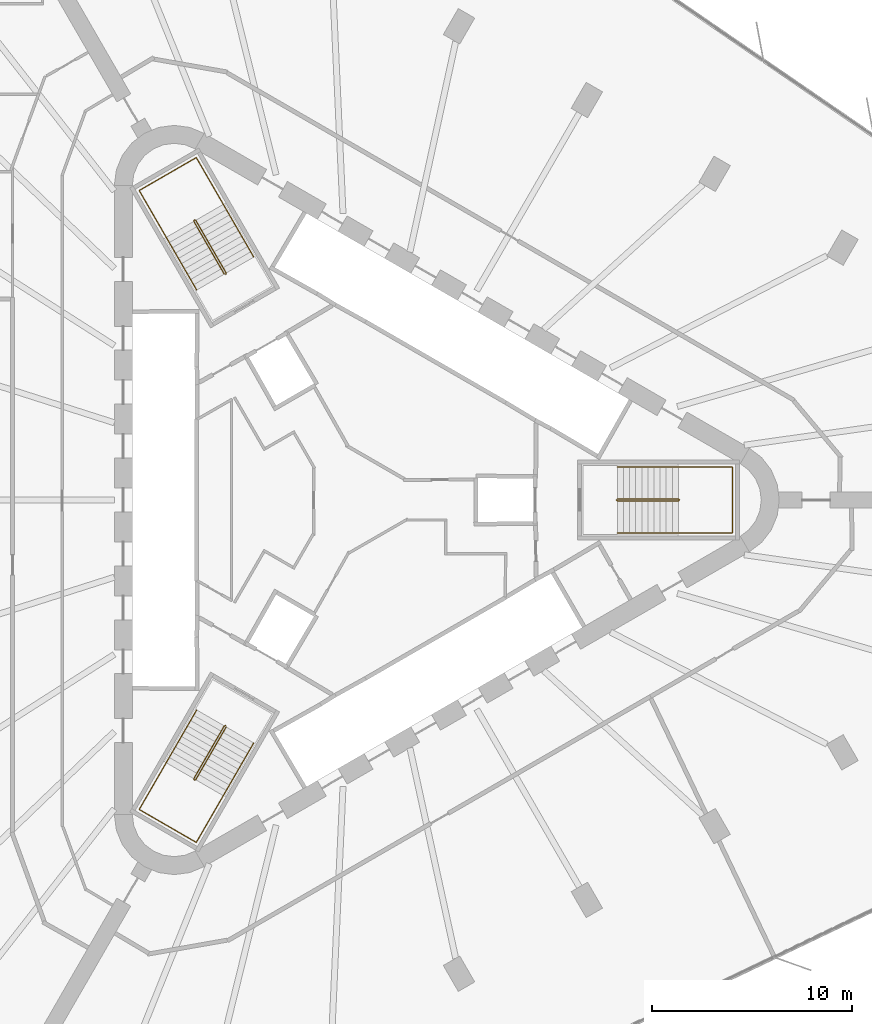
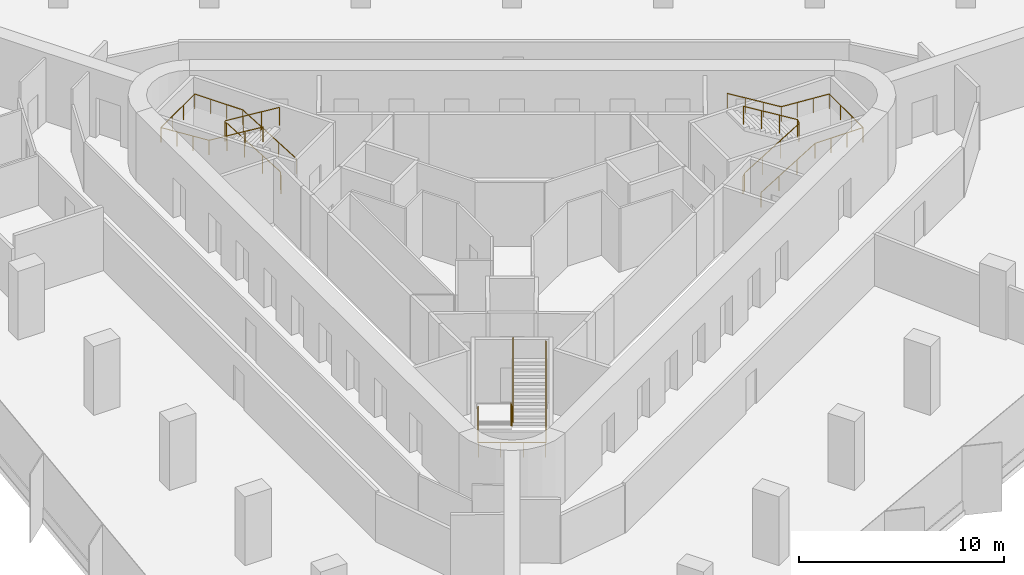
# One storey, part 14 of 14: 6 railings.
"""IFC4 building model written with IfcOpenShell, lengths in metres."""

from ifc_helpers import new_model, si_unit, direction, frame, origin, origin_2d, place, context, subcontext, project, spatial, circle, extrude, material, type_object, element, save


model = new_model("IFC4")

# Units and contexts
model_context = context("Model", 3, precision=1e-05, world=origin(), true_north=direction((0.0, 1.0)))
body_context = subcontext(model_context, "Body", "Model", "MODEL_VIEW")
ifc_project = project(units=[si_unit("LENGTHUNIT", "METRE"), si_unit("AREAUNIT", "SQUARE_METRE"), si_unit("VOLUMEUNIT", "CUBIC_METRE"), si_unit("PLANEANGLEUNIT", "RADIAN"), si_unit("MASSUNIT", "GRAM", prefix="KILO")], contexts=[model_context])

# Site, building, storey
site_placement = place(None, origin())
site = spatial("IfcSite", under=ifc_project, at=site_placement, CompositionType="ELEMENT")
building_placement = place(site_placement, origin())
building = spatial("IfcBuilding", under=site, at=building_placement, Name="Tanit Gate Tower", CompositionType="ELEMENT")
storey_placement = place(building_placement, frame((0.0, 0.0, 90.60009765625)))
storey = spatial("IfcBuildingStorey", under=building, at=storey_placement, Name="L18", CompositionType="ELEMENT", Elevation=90.60009765625)

# Railings
ifc_material_1 = material(Name="Stainless steel balustrade", Category="steel")
railing_type_1 = type_object("IfcRailingType", Name="INT-STAIR-GUARD", PredefinedType="GUARDRAIL", material=ifc_material_1)
railing_1_placement = place(storey_placement, frame((13.044921875, 0.0048828125, 0.0)))
element("IfcRailing", 1, at=railing_1_placement, inside=storey, type_object=railing_type_1, Name="L18 S1 stair guard 1", PredefinedType="GUARDRAIL", context=body_context, shape_type="SweptSolid", body=[
    extrude(circle(Radius=0.02392578125, at=origin_2d()), frame((0.0, 0.0, 1.076171875), z_axis=(0.0, -1.0, 0.0), x_axis=(1.0, 0.0, 0.0)), (0.0, 0.0, 1.0), 0.009765625),
    extrude(circle(Radius=0.02392578125, at=origin_2d()), frame((0.0, -0.009765625, 1.076171875), z_axis=(0.251157038772, -0.251157038772, 0.934794246747), x_axis=(0.707106781187, 0.707106781187, 0.0)), (0.0, 0.0, 1.0), 0.19921875),
    extrude(circle(Radius=0.02392578125, at=origin_2d()), frame((0.050048828125, -0.059814453125, 1.26220703125), z_axis=(0.853405036568, 0.0, 0.521248351134), x_axis=(0.0, 1.0, 0.0)), (0.0, 0.0, 1.0), 3.5751953125),
    extrude(circle(Radius=0.02392578125, at=origin_2d()), frame((3.10107421875, -0.059814453125, 3.1259765625), z_axis=(0.707106781187, 0.707106781187, 0.0), x_axis=(-0.707106781187, 0.707106781187, 0.0)), (0.0, 0.0, 1.0), 0.07080078125),
    extrude(circle(Radius=0.02392578125, at=origin_2d()), frame((3.151123046875, -0.009765625, 3.1259765625), z_axis=(0.0, 1.0, 0.0), x_axis=(-1.0, 0.0, 0.0)), (0.0, 0.0, 1.0), 0.009765625),
    extrude(circle(Radius=0.02392578125, at=origin_2d()), frame((3.151123046875, 0.0, 3.1259765625), z_axis=(-0.250869701741, 0.250869701741, 0.934948546978), x_axis=(-0.707106781187, -0.707106781187, 0.0)), (0.0, 0.0, 1.0), 0.199462890625),
    extrude(circle(Radius=0.02392578125, at=origin_2d()), frame((3.10107421875, 0.050048828125, 3.3125), z_axis=(-0.853405036568, 0.0, 0.521248351134), x_axis=(0.0, -1.0, 0.0)), (0.0, 0.0, 1.0), 3.5751953125),
    extrude(circle(Radius=0.02099609375, at=origin_2d()), origin(), (0.0, 0.0, 1.0), 1.052001953125),
    extrude(circle(Radius=0.02099609375, at=origin_2d()), frame((0.0, -0.009765625, 0.0)), (0.0, 0.0, 1.0), 1.052001953125),
    extrude(circle(Radius=0.02099609375, at=origin_2d()), frame((0.050048828125, -0.059814453125, 0.186279296875)), (0.0, 0.0, 1.0), 1.052001953125),
    extrude(circle(Radius=0.02099609375, at=origin_2d()), frame((1.067138671875, -0.059814453125, 0.807373046875)), (0.0, 0.0, 1.0), 1.052001953125),
    extrude(circle(Radius=0.02099609375, at=origin_2d()), frame((2.083984375, -0.059814453125, 1.4287109375)), (0.0, 0.0, 1.0), 1.052001953125),
    extrude(circle(Radius=0.02099609375, at=origin_2d()), frame((3.10107421875, -0.059814453125, 2.0498046875)), (0.0, 0.0, 1.0), 1.052001953125),
    extrude(circle(Radius=0.02099609375, at=origin_2d()), frame((3.151123046875, -0.009765625, 2.0498046875)), (0.0, 0.0, 1.0), 1.052001953125),
    extrude(circle(Radius=0.02099609375, at=origin_2d()), frame((3.151123046875, 0.0, 2.0498046875)), (0.0, 0.0, 1.0), 1.052001953125),
    extrude(circle(Radius=0.02099609375, at=origin_2d()), frame((3.10107421875, 0.050048828125, 2.236328125)), (0.0, 0.0, 1.0), 1.052001953125),
    extrude(circle(Radius=0.02099609375, at=origin_2d()), frame((2.083984375, 0.050048828125, 2.857421875)), (0.0, 0.0, 1.0), 1.052001953125),
    extrude(circle(Radius=0.02099609375, at=origin_2d()), frame((1.067138671875, 0.050048828125, 3.478759765625)), (0.0, 0.0, 1.0), 1.052001953125),
    extrude(circle(Radius=0.02099609375, at=origin_2d()), frame((0.050048828125, 0.050048828125, 4.099853515625)), (0.0, 0.0, 1.0), 1.052001953125),
])
railing_2_placement = place(storey_placement, frame((-6.527099609375, 11.29345703125, 0.0)))
element("IfcRailing", 2, at=railing_2_placement, inside=storey, type_object=railing_type_1, Name="L18 S2 stair guard 1", PredefinedType="GUARDRAIL", context=body_context, shape_type="SweptSolid", body=[
    extrude(circle(Radius=0.02392578125, at=origin_2d()), frame((0.0, 0.0, 1.076171875), z_axis=(0.868243142124, 0.496138938357, 0.0), x_axis=(-0.496138938357, 0.868243142124, 0.0)), (0.0, 0.0, 1.0), 0.01171875),
    extrude(circle(Radius=0.02392578125, at=origin_2d()), frame((0.01025390625, 0.005859375, 1.076171875), z_axis=(0.091888445584, 0.343050196848, 0.93481178641), x_axis=(-0.965948051503, 0.258736085224, 0.0)), (0.0, 0.0, 1.0), 0.19921875),
    extrude(circle(Radius=0.02392578125, at=origin_2d()), frame((0.028564453125, 0.07421875, 1.26220703125), z_axis=(-0.426651696395, 0.73893750972, 0.521478366466), x_axis=(-0.866012246495, -0.500022788402, 0.0)), (0.0, 0.0, 1.0), 3.573486328125),
    extrude(circle(Radius=0.02392578125, at=origin_2d()), frame((-1.49609375, 2.71484375, 3.1259765625), z_axis=(-0.965715946433, 0.259601060869, 0.0), x_axis=(-0.259601060869, -0.965715946433, 0.0)), (0.0, 0.0, 1.0), 0.070556640625),
    extrude(circle(Radius=0.02392578125, at=origin_2d()), frame((-1.564208984375, 2.733154296875, 3.1259765625), z_axis=(-0.873197702015, -0.487366159264, 0.0), x_axis=(0.487366159264, -0.873197702015, 0.0)), (0.0, 0.0, 1.0), 0.011962890625),
    extrude(circle(Radius=0.02392578125, at=origin_2d()), frame((-1.57470703125, 2.727294921875, 3.1259765625), z_axis=(-0.09178331637, -0.342657714447, 0.934966049419), x_axis=(0.965948051503, -0.258736085224, 0.0)), (0.0, 0.0, 1.0), 0.199462890625),
    extrude(circle(Radius=0.02392578125, at=origin_2d()), frame((-1.593017578125, 2.658935546875, 3.3125), z_axis=(0.426651696395, -0.73893750972, 0.521478366466), x_axis=(0.866012246495, 0.500022788402, 0.0)), (0.0, 0.0, 1.0), 3.573486328125),
    extrude(circle(Radius=0.02099609375, at=origin_2d()), origin(), (0.0, 0.0, 1.0), 1.052001953125),
    extrude(circle(Radius=0.02099609375, at=origin_2d()), frame((0.01025390625, 0.005859375, 0.0)), (0.0, 0.0, 1.0), 1.052001953125),
    extrude(circle(Radius=0.02099609375, at=origin_2d()), frame((0.028564453125, 0.07421875, 0.186279296875)), (0.0, 0.0, 1.0), 1.052001953125),
    extrude(circle(Radius=0.02099609375, at=origin_2d()), frame((-0.479736328125, 0.954345703125, 0.807373046875)), (0.0, 0.0, 1.0), 1.052001953125),
    extrude(circle(Radius=0.02099609375, at=origin_2d()), frame((-0.98779296875, 1.834716796875, 1.4287109375)), (0.0, 0.0, 1.0), 1.052001953125),
    extrude(circle(Radius=0.02099609375, at=origin_2d()), frame((-1.49609375, 2.71484375, 2.0498046875)), (0.0, 0.0, 1.0), 1.052001953125),
    extrude(circle(Radius=0.02099609375, at=origin_2d()), frame((-1.564208984375, 2.733154296875, 2.0498046875)), (0.0, 0.0, 1.0), 1.052001953125),
    extrude(circle(Radius=0.02099609375, at=origin_2d()), frame((-1.57470703125, 2.727294921875, 2.0498046875)), (0.0, 0.0, 1.0), 1.052001953125),
    extrude(circle(Radius=0.02099609375, at=origin_2d()), frame((-1.593017578125, 2.658935546875, 2.236328125)), (0.0, 0.0, 1.0), 1.052001953125),
    extrude(circle(Radius=0.02099609375, at=origin_2d()), frame((-1.084716796875, 1.77880859375, 2.857421875)), (0.0, 0.0, 1.0), 1.052001953125),
    extrude(circle(Radius=0.02099609375, at=origin_2d()), frame((-0.57666015625, 0.8984375, 3.478759765625)), (0.0, 0.0, 1.0), 1.052001953125),
    extrude(circle(Radius=0.02099609375, at=origin_2d()), frame((-0.068359375, 0.018310546875, 4.099853515625)), (0.0, 0.0, 1.0), 1.052001953125),
])
railing_3_placement = place(storey_placement, frame((-6.51806640625, -11.2998046875, 0.0)))
element("IfcRailing", 3, at=railing_3_placement, inside=storey, type_object=railing_type_1, Name="L18 S3 stair guard 1", PredefinedType="GUARDRAIL", context=body_context, shape_type="SweptSolid", body=[
    extrude(circle(Radius=0.02392578125, at=origin_2d()), frame((0.0, 0.0, 1.076171875), z_axis=(-0.874157276122, 0.485642931179, 0.0), x_axis=(-0.485642931179, -0.874157276122, 0.0)), (0.0, 0.0, 1.0), 0.010009765625),
    extrude(circle(Radius=0.02392578125, at=origin_2d()), frame((-0.0087890625, 0.0048828125, 1.076171875), z_axis=(-0.343088566343, -0.090673406819, 0.934916343285), x_axis=(0.255512919477, -0.966805641264, 0.0)), (0.0, 0.0, 1.0), 0.19921875),
    extrude(circle(Radius=0.02392578125, at=origin_2d()), frame((-0.0771484375, -0.01318359375, 1.26220703125), z_axis=(-0.426668548982, -0.73908990167, 0.521248565042), x_axis=(0.866048339477, -0.499960272111, 0.0)), (0.0, 0.0, 1.0), 3.5751953125),
    extrude(circle(Radius=0.02392578125, at=origin_2d()), frame((-1.6025390625, -2.655517578125, 3.1259765625), z_axis=(0.258736085224, -0.965948051503, 0.0), x_axis=(0.965948051503, 0.258736085224, 0.0)), (0.0, 0.0, 1.0), 0.07080078125),
    extrude(circle(Radius=0.02392578125, at=origin_2d()), frame((-1.584228515625, -2.723876953125, 3.1259765625), z_axis=(0.868243142124, -0.496138938357, 0.0), x_axis=(0.496138938357, 0.868243142124, 0.0)), (0.0, 0.0, 1.0), 0.009765625),
    extrude(circle(Radius=0.02392578125, at=origin_2d()), frame((-1.57568359375, -2.728759765625, 3.1259765625), z_axis=(0.342657714447, 0.09178331637, 0.934966049419), x_axis=(-0.258736085224, 0.965948051503, 0.0)), (0.0, 0.0, 1.0), 0.199462890625),
    extrude(circle(Radius=0.02392578125, at=origin_2d()), frame((-1.50732421875, -2.71044921875, 3.3125), z_axis=(0.426745940485, 0.73903737685, 0.521259683745), x_axis=(-0.865993683553, 0.500054937028, 0.0)), (0.0, 0.0, 1.0), 3.574951171875),
    extrude(circle(Radius=0.02099609375, at=origin_2d()), origin(), (0.0, 0.0, 1.0), 1.052001953125),
    extrude(circle(Radius=0.02099609375, at=origin_2d()), frame((-0.0087890625, 0.0048828125, 0.0)), (0.0, 0.0, 1.0), 1.052001953125),
    extrude(circle(Radius=0.02099609375, at=origin_2d()), frame((-0.0771484375, -0.01318359375, 0.186279296875)), (0.0, 0.0, 1.0), 1.052001953125),
    extrude(circle(Radius=0.02099609375, at=origin_2d()), frame((-0.585693359375, -0.89404296875, 0.807373046875)), (0.0, 0.0, 1.0), 1.052001953125),
    extrude(circle(Radius=0.02099609375, at=origin_2d()), frame((-1.093994140625, -1.774658203125, 1.4287109375)), (0.0, 0.0, 1.0), 1.052001953125),
    extrude(circle(Radius=0.02099609375, at=origin_2d()), frame((-1.6025390625, -2.655517578125, 2.0498046875)), (0.0, 0.0, 1.0), 1.052001953125),
    extrude(circle(Radius=0.02099609375, at=origin_2d()), frame((-1.584228515625, -2.723876953125, 2.0498046875)), (0.0, 0.0, 1.0), 1.052001953125),
    extrude(circle(Radius=0.02099609375, at=origin_2d()), frame((-1.57568359375, -2.728759765625, 2.0498046875)), (0.0, 0.0, 1.0), 1.052001953125),
    extrude(circle(Radius=0.02099609375, at=origin_2d()), frame((-1.50732421875, -2.71044921875, 2.236328125)), (0.0, 0.0, 1.0), 1.052001953125),
    extrude(circle(Radius=0.02099609375, at=origin_2d()), frame((-0.998779296875, -1.829833984375, 2.857421875)), (0.0, 0.0, 1.0), 1.052001953125),
    extrude(circle(Radius=0.02099609375, at=origin_2d()), frame((-0.490234375, -0.948974609375, 3.478759765625)), (0.0, 0.0, 1.0), 1.052001953125),
    extrude(circle(Radius=0.02099609375, at=origin_2d()), frame((0.018310546875, -0.068359375, 4.099853515625)), (0.0, 0.0, 1.0), 1.052001953125),
])
ifc_material_2 = material(Name="Stainless steel handrail", Category="steel")
railing_type_2 = type_object("IfcRailingType", Name="INT-STAIR-HANDRAIL", PredefinedType="HANDRAIL", material=ifc_material_2)
railing_4_placement = place(storey_placement, frame((13.094970703125, -1.64990234375, 0.186279296875)))
element("IfcRailing", 4, at=railing_4_placement, inside=storey, type_object=railing_type_2, Name="L18 S1 stair handrail 1", PredefinedType="HANDRAIL", context=body_context, shape_type="SweptSolid", body=[
    extrude(circle(Radius=0.02392578125, at=origin_2d()), frame((0.0, 0.0, 0.8759765625), z_axis=(0.853405036568, 0.0, 0.521248351134), x_axis=(0.0, 1.0, 0.0)), (0.0, 0.0, 1.0), 3.5751953125),
    extrude(circle(Radius=0.02392578125, at=origin_2d()), frame((3.051025390625, 0.0, 2.7392578125), z_axis=(1.0, 0.0, 0.0), x_axis=(0.0, 1.0, 0.0)), (0.0, 0.0, 1.0), 2.7041015625),
    extrude(circle(Radius=0.02392578125, at=origin_2d()), frame((5.755126953125, 0.0, 2.7392578125), z_axis=(0.0, 1.0, 0.0), x_axis=(-1.0, 0.0, 0.0)), (0.0, 0.0, 1.0), 3.2998046875),
    extrude(circle(Radius=0.02392578125, at=origin_2d()), frame((5.755126953125, 3.2998046875, 2.7392578125), z_axis=(-0.997629475601, 0.0, 0.068814456425), x_axis=(0.0, -1.0, 0.0)), (0.0, 0.0, 1.0), 2.71044921875),
    extrude(circle(Radius=0.02392578125, at=origin_2d()), frame((3.051025390625, 3.2998046875, 2.92578125), z_axis=(-0.853405036568, 0.0, 0.521248351134), x_axis=(0.0, -1.0, 0.0)), (0.0, 0.0, 1.0), 3.5751953125),
    extrude(circle(Radius=0.02099609375, at=origin_2d()), origin(), (0.0, 0.0, 1.0), 0.851806640625),
    extrude(circle(Radius=0.02099609375, at=origin_2d()), frame((1.01708984375, 0.0, 0.62109375)), (0.0, 0.0, 1.0), 0.851806640625),
    extrude(circle(Radius=0.02099609375, at=origin_2d()), frame((2.033935546875, 0.0, 1.242431640625)), (0.0, 0.0, 1.0), 0.851806640625),
    extrude(circle(Radius=0.02099609375, at=origin_2d()), frame((3.051025390625, 0.0, 1.863525390625)), (0.0, 0.0, 1.0), 0.851806640625),
    extrude(circle(Radius=0.02099609375, at=origin_2d()), frame((3.952392578125, 0.0, 1.863525390625)), (0.0, 0.0, 1.0), 0.851806640625),
    extrude(circle(Radius=0.02099609375, at=origin_2d()), frame((4.853759765625, 0.0, 1.863525390625)), (0.0, 0.0, 1.0), 0.851806640625),
    extrude(circle(Radius=0.02099609375, at=origin_2d()), frame((5.755126953125, 0.0, 1.863525390625)), (0.0, 0.0, 1.0), 0.851806640625),
    extrude(circle(Radius=0.02099609375, at=origin_2d()), frame((5.755126953125, 1.099853515625, 1.863525390625)), (0.0, 0.0, 1.0), 0.851806640625),
    extrude(circle(Radius=0.02099609375, at=origin_2d()), frame((5.755126953125, 2.199951171875, 1.863525390625)), (0.0, 0.0, 1.0), 0.851806640625),
    extrude(circle(Radius=0.02099609375, at=origin_2d()), frame((5.755126953125, 3.2998046875, 1.863525390625)), (0.0, 0.0, 1.0), 0.851806640625),
    extrude(circle(Radius=0.02099609375, at=origin_2d()), frame((4.853759765625, 3.2998046875, 1.92578125)), (0.0, 0.0, 1.0), 0.851806640625),
    extrude(circle(Radius=0.02099609375, at=origin_2d()), frame((3.952392578125, 3.2998046875, 1.98779296875)), (0.0, 0.0, 1.0), 0.851806640625),
    extrude(circle(Radius=0.02099609375, at=origin_2d()), frame((3.051025390625, 3.2998046875, 2.050048828125)), (0.0, 0.0, 1.0), 0.851806640625),
    extrude(circle(Radius=0.02099609375, at=origin_2d()), frame((2.033935546875, 3.2998046875, 2.671142578125)), (0.0, 0.0, 1.0), 0.851806640625),
    extrude(circle(Radius=0.02099609375, at=origin_2d()), frame((1.01708984375, 3.2998046875, 3.29248046875)), (0.0, 0.0, 1.0), 0.851806640625),
    extrude(circle(Radius=0.02099609375, at=origin_2d()), frame((0.0, 3.2998046875, 3.91357421875)), (0.0, 0.0, 1.0), 0.851806640625),
])
railing_5_placement = place(storey_placement, frame((-5.1181640625, 12.164794921875, 0.186279296875)))
element("IfcRailing", 5, at=railing_5_placement, inside=storey, type_object=railing_type_2, Name="L18 S2 stair handrail 1", PredefinedType="HANDRAIL", context=body_context, shape_type="SweptSolid", body=[
    extrude(circle(Radius=0.02392578125, at=origin_2d()), frame((0.0, 0.0, 0.8759765625), z_axis=(-0.426595811233, 0.738959047773, 0.521493566166), x_axis=(-0.866046917185, -0.499962735845, 0.0)), (0.0, 0.0, 1.0), 3.573486328125),
    extrude(circle(Radius=0.02392578125, at=origin_2d()), frame((-1.5244140625, 2.640625, 2.7392578125), z_axis=(-0.500019123664, 0.86601436245, 0.0), x_axis=(-0.86601436245, -0.500019123664, 0.0)), (0.0, 0.0, 1.0), 2.70703125),
    extrude(circle(Radius=0.02392578125, at=origin_2d()), frame((-2.8779296875, 4.98486328125, 2.7392578125), z_axis=(-0.866008176907, -0.50002983664, 0.0), x_axis=(0.50002983664, -0.866008176907, 0.0)), (0.0, 0.0, 1.0), 3.300048828125),
    extrude(circle(Radius=0.02392578125, at=origin_2d()), frame((-5.73583984375, 3.334716796875, 2.7392578125), z_axis=(0.498875061953, -0.86394290581, 0.068748294973), x_axis=(0.865991810323, 0.500058181068, 0.0)), (0.0, 0.0, 1.0), 2.713134765625),
    extrude(circle(Radius=0.02392578125, at=origin_2d()), frame((-4.38232421875, 0.99072265625, 2.92578125), z_axis=(0.426630158194, -0.738968522208, 0.521452041232), x_axis=(0.866032263162, 0.499988119021, 0.0)), (0.0, 0.0, 1.0), 3.57373046875),
    extrude(circle(Radius=0.02099609375, at=origin_2d()), origin(), (0.0, 0.0, 1.0), 0.851806640625),
    extrude(circle(Radius=0.02099609375, at=origin_2d()), frame((-0.508056640625, 0.880126953125, 0.62109375)), (0.0, 0.0, 1.0), 0.851806640625),
    extrude(circle(Radius=0.02099609375, at=origin_2d()), frame((-1.016357421875, 1.760498046875, 1.242431640625)), (0.0, 0.0, 1.0), 0.851806640625),
    extrude(circle(Radius=0.02099609375, at=origin_2d()), frame((-1.5244140625, 2.640625, 1.863525390625)), (0.0, 0.0, 1.0), 0.851806640625),
    extrude(circle(Radius=0.02099609375, at=origin_2d()), frame((-1.9755859375, 3.422119140625, 1.863525390625)), (0.0, 0.0, 1.0), 0.851806640625),
    extrude(circle(Radius=0.02099609375, at=origin_2d()), frame((-2.4267578125, 4.203369140625, 1.863525390625)), (0.0, 0.0, 1.0), 0.851806640625),
    extrude(circle(Radius=0.02099609375, at=origin_2d()), frame((-2.8779296875, 4.98486328125, 1.863525390625)), (0.0, 0.0, 1.0), 0.851806640625),
    extrude(circle(Radius=0.02099609375, at=origin_2d()), frame((-3.83056640625, 4.434814453125, 1.863525390625)), (0.0, 0.0, 1.0), 0.851806640625),
    extrude(circle(Radius=0.02099609375, at=origin_2d()), frame((-4.783203125, 3.884765625, 1.863525390625)), (0.0, 0.0, 1.0), 0.851806640625),
    extrude(circle(Radius=0.02099609375, at=origin_2d()), frame((-5.73583984375, 3.334716796875, 1.863525390625)), (0.0, 0.0, 1.0), 0.851806640625),
    extrude(circle(Radius=0.02099609375, at=origin_2d()), frame((-5.28466796875, 2.553466796875, 1.92578125)), (0.0, 0.0, 1.0), 0.851806640625),
    extrude(circle(Radius=0.02099609375, at=origin_2d()), frame((-4.83349609375, 1.77197265625, 1.98779296875)), (0.0, 0.0, 1.0), 0.851806640625),
    extrude(circle(Radius=0.02099609375, at=origin_2d()), frame((-4.38232421875, 0.99072265625, 2.050048828125)), (0.0, 0.0, 1.0), 0.851806640625),
    extrude(circle(Radius=0.02099609375, at=origin_2d()), frame((-3.8740234375, 0.1103515625, 2.671142578125)), (0.0, 0.0, 1.0), 0.851806640625),
    extrude(circle(Radius=0.02099609375, at=origin_2d()), frame((-3.365966796875, -0.769775390625, 3.29248046875)), (0.0, 0.0, 1.0), 0.851806640625),
    extrude(circle(Radius=0.02099609375, at=origin_2d()), frame((-2.857666015625, -1.650146484375, 3.91357421875)), (0.0, 0.0, 1.0), 0.851806640625),
])
railing_6_placement = place(storey_placement, frame((-7.9765625, -10.515625, 0.186279296875)))
element("IfcRailing", 6, at=railing_6_placement, inside=storey, type_object=railing_type_2, Name="L18 S3 stair handrail 1", PredefinedType="HANDRAIL", context=body_context, shape_type="SweptSolid", body=[
    extrude(circle(Radius=0.02392578125, at=origin_2d()), frame((0.0, 0.0, 0.8759765625), z_axis=(-0.426668548982, -0.73908990167, 0.521248565042), x_axis=(0.866048339477, -0.499960272111, 0.0)), (0.0, 0.0, 1.0), 3.5751953125),
    extrude(circle(Radius=0.02392578125, at=origin_2d()), frame((-1.525390625, -2.642333984375, 2.7392578125), z_axis=(-0.50004290449, -0.866000631449, 0.0), x_axis=(0.866000631449, -0.50004290449, 0.0)), (0.0, 0.0, 1.0), 2.703857421875),
    extrude(circle(Radius=0.02392578125, at=origin_2d()), frame((-2.87744140625, -4.98388671875, 2.7392578125), z_axis=(0.866008176907, -0.50002983664, 0.0), x_axis=(0.50002983664, 0.866008176907, 0.0)), (0.0, 0.0, 1.0), 3.300048828125),
    extrude(circle(Radius=0.02392578125, at=origin_2d()), frame((-0.01953125, -6.634033203125, 2.7392578125), z_axis=(0.498818517556, 0.863970245648, 0.068814977864), x_axis=(-0.866023205937, 0.500003806764, 0.0)), (0.0, 0.0, 1.0), 2.71044921875),
    extrude(circle(Radius=0.02392578125, at=origin_2d()), frame((1.33251953125, -4.292236328125, 2.92578125), z_axis=(0.426668548982, 0.73908990167, 0.521248565042), x_axis=(-0.866048339477, 0.499960272111, 0.0)), (0.0, 0.0, 1.0), 3.5751953125),
    extrude(circle(Radius=0.02099609375, at=origin_2d()), origin(), (0.0, 0.0, 1.0), 0.851806640625),
    extrude(circle(Radius=0.02099609375, at=origin_2d()), frame((-0.508544921875, -0.880859375, 0.62109375)), (0.0, 0.0, 1.0), 0.851806640625),
    extrude(circle(Radius=0.02099609375, at=origin_2d()), frame((-1.016845703125, -1.761474609375, 1.242431640625)), (0.0, 0.0, 1.0), 0.851806640625),
    extrude(circle(Radius=0.02099609375, at=origin_2d()), frame((-1.525390625, -2.642333984375, 1.863525390625)), (0.0, 0.0, 1.0), 0.851806640625),
    extrude(circle(Radius=0.02099609375, at=origin_2d()), frame((-1.97607421875, -3.4228515625, 1.863525390625)), (0.0, 0.0, 1.0), 0.851806640625),
    extrude(circle(Radius=0.02099609375, at=origin_2d()), frame((-2.4267578125, -4.203369140625, 1.863525390625)), (0.0, 0.0, 1.0), 0.851806640625),
    extrude(circle(Radius=0.02099609375, at=origin_2d()), frame((-2.87744140625, -4.98388671875, 1.863525390625)), (0.0, 0.0, 1.0), 0.851806640625),
    extrude(circle(Radius=0.02099609375, at=origin_2d()), frame((-1.9248046875, -5.533935546875, 1.863525390625)), (0.0, 0.0, 1.0), 0.851806640625),
    extrude(circle(Radius=0.02099609375, at=origin_2d()), frame((-0.97216796875, -6.083984375, 1.863525390625)), (0.0, 0.0, 1.0), 0.851806640625),
    extrude(circle(Radius=0.02099609375, at=origin_2d()), frame((-0.01953125, -6.634033203125, 1.863525390625)), (0.0, 0.0, 1.0), 0.851806640625),
    extrude(circle(Radius=0.02099609375, at=origin_2d()), frame((0.43115234375, -5.853515625, 1.92578125)), (0.0, 0.0, 1.0), 0.851806640625),
    extrude(circle(Radius=0.02099609375, at=origin_2d()), frame((0.8818359375, -5.07275390625, 1.98779296875)), (0.0, 0.0, 1.0), 0.851806640625),
    extrude(circle(Radius=0.02099609375, at=origin_2d()), frame((1.33251953125, -4.292236328125, 2.050048828125)), (0.0, 0.0, 1.0), 0.851806640625),
    extrude(circle(Radius=0.02099609375, at=origin_2d()), frame((1.841064453125, -3.411376953125, 2.671142578125)), (0.0, 0.0, 1.0), 0.851806640625),
    extrude(circle(Radius=0.02099609375, at=origin_2d()), frame((2.349365234375, -2.53076171875, 3.29248046875)), (0.0, 0.0, 1.0), 0.851806640625),
    extrude(circle(Radius=0.02099609375, at=origin_2d()), frame((2.85791015625, -1.64990234375, 3.91357421875)), (0.0, 0.0, 1.0), 0.851806640625),
])

save(model, "model.ifc")
